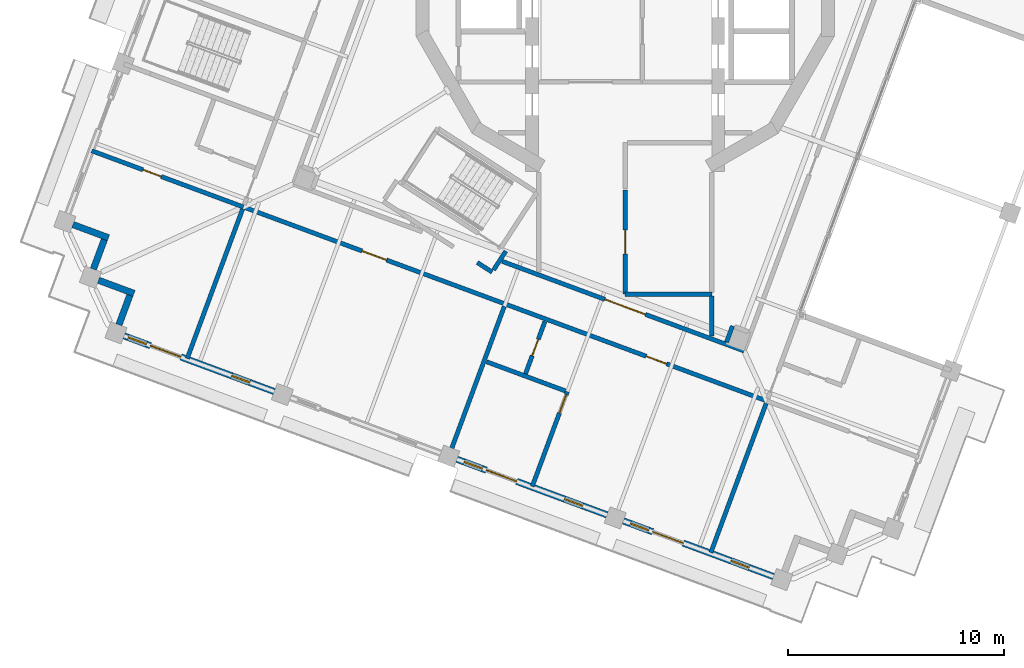
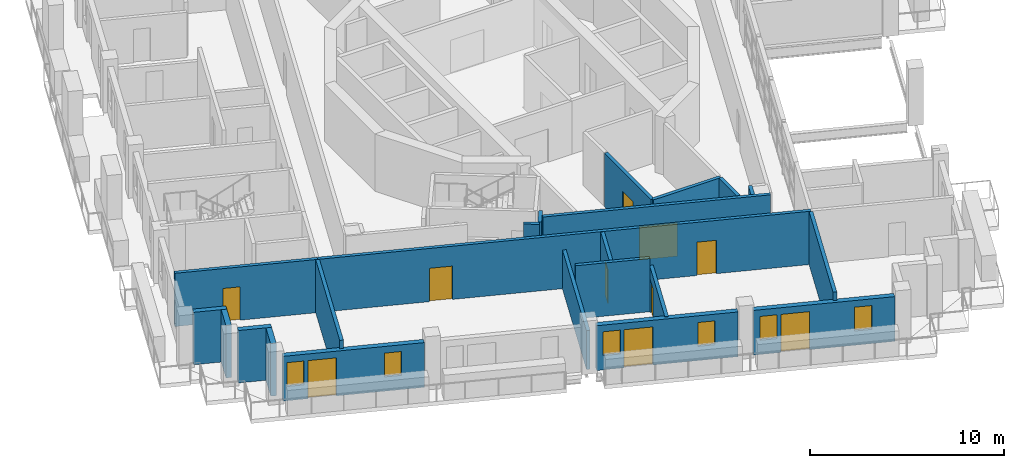
# One storey, part 5 of 19: 22 walls, 10 doors, 6 windows, 16 openings.
"""IFC4 building model written with IfcOpenShell, lengths in metres."""

from ifc_helpers import new_model, si_unit, direction, frame, frame_2d, origin, place, context, subcontext, project, spatial, rectangle, extrude, material, layer, layer_set, type_object, element, fill, save


model = new_model("IFC4")

# Units and contexts
model_context = context("Model", 3, precision=1e-05, world=origin(), true_north=direction((0.0, 1.0)))
body_context = subcontext(model_context, "Body", "Model", "MODEL_VIEW")
ifc_project = project(units=[si_unit("LENGTHUNIT", "METRE"), si_unit("AREAUNIT", "SQUARE_METRE"), si_unit("VOLUMEUNIT", "CUBIC_METRE"), si_unit("PLANEANGLEUNIT", "RADIAN"), si_unit("MASSUNIT", "GRAM", prefix="KILO")], contexts=[model_context])

# Site, building, storey
site_placement = place(None, origin())
site = spatial("IfcSite", under=ifc_project, at=site_placement, CompositionType="ELEMENT")
building_placement = place(site_placement, origin())
building = spatial("IfcBuilding", under=site, at=building_placement, Name="Cantera Rosa Tower", CompositionType="ELEMENT")
storey_placement = place(building_placement, frame((0.0, 0.0, 334.89990234375)))
storey = spatial("IfcBuildingStorey", under=building, at=storey_placement, Name="L75", CompositionType="ELEMENT", Elevation=334.89990234375)

# Wall, openings, doors
ifc_material_1 = material(Name="Gypsum board partition")
ifc_layer_1 = layer(ifc_material_1, 0.199951171875)
ifc_layer_set_1 = layer_set([ifc_layer_1], Name="CORRIDOR WALL 200 H3350")
wall_type_1 = type_object("IfcWallType", Name="CORRIDOR WALL 200 H3350", PredefinedType="PARTITIONING", material=ifc_layer_set_1)
wall_1_placement = place(storey_placement, frame((-17.61962890625, -10.48046875, 0.0), z_axis=(0.0, 0.0, 1.0), x_axis=(0.937683515105, -0.347490468214, 0.0)))
wall_1 = element("IfcWall", 1, at=wall_1_placement, inside=storey, type_object=wall_type_1, Name="CORRIDOR WALL L75-007", PredefinedType="PARTITIONING", context=body_context, shape_type="SweptSolid", body=[
    extrude(rectangle(XDim=25.77978515625, YDim=0.199951171875, at=frame_2d((12.889892578125, 0.0))), origin(), (0.0, 0.0, 1.0), 3.35009765625),
])
opening_1_placement = place(wall_1_placement, frame((5.830078125, 0.0, 0.0)))
opening_1 = element("IfcOpeningElement", 2, at=opening_1_placement, cuts=wall_1, Name="Opening L75-041", PredefinedType="OPENING", context=body_context, shape_type="SweptSolid", body=[
    extrude(rectangle(XDim=1.199951171875, YDim=2.10009765625, at=frame_2d((0.60009765625, 1.050048828125))), frame((0.0, 0.10986328125, 0.0), z_axis=(0.0, -1.0, 0.0), x_axis=(1.0, 0.0, 0.0)), (0.0, 0.0, 1.0), 0.219970703125),
])
opening_2_placement = place(wall_1_placement, frame((19.830078125, 0.0, 0.0)))
opening_2 = element("IfcOpeningElement", 3, at=opening_2_placement, cuts=wall_1, Name="Opening L75-042", PredefinedType="OPENING", context=body_context, shape_type="SweptSolid", body=[
    extrude(rectangle(XDim=1.0, YDim=2.10009765625, at=frame_2d((0.5, 1.050048828125))), frame((0.0, 0.10986328125, 0.0), z_axis=(0.0, -1.0, 0.0), x_axis=(1.0, 0.0, 0.0)), (0.0, 0.0, 1.0), 0.219970703125),
])
ifc_material_2 = material(Name="Timber door leaf", Category="wood")
door_type_1 = type_object("IfcDoorType", Name="ENTRANCE DOOR 1000x2100", OperationType="NOTDEFINED", PredefinedType="DOOR", material=ifc_material_2)
door_1_placement = place(opening_2_placement, origin())
door_1 = element("IfcDoor", 4, at=door_1_placement, inside=storey, type_object=door_type_1, Name="DOOR L75-042", OperationType="NOTDEFINED", OverallHeight=2.10009765625, OverallWidth=1.0, PredefinedType="DOOR", context=body_context, shape_type="SweptSolid", body=[
    extrude(rectangle(XDim=1.0, YDim=2.10009765625, at=frame_2d((0.5, 1.050048828125))), frame((0.0, 0.02490234375, 0.0), z_axis=(0.0, -1.0, 0.0), x_axis=(1.0, 0.0, 0.0)), (0.0, 0.0, 1.0), 0.050048828125),
])
fill(opening_2, door_1)
ifc_material_3 = material(Name="Timber door leaf", Category="wood")
door_type_2 = type_object("IfcDoorType", Name="ROOM DOOR 1200x2100", OperationType="NOTDEFINED", PredefinedType="DOOR", material=ifc_material_3)
door_2_placement = place(opening_1_placement, origin())
door_2 = element("IfcDoor", 5, at=door_2_placement, inside=storey, type_object=door_type_2, Name="DOOR L75-041", OperationType="NOTDEFINED", OverallHeight=2.10009765625, OverallWidth=1.199951171875, PredefinedType="DOOR", context=body_context, shape_type="SweptSolid", body=[
    extrude(rectangle(XDim=1.199951171875, YDim=2.10009765625, at=frame_2d((0.60009765625, 1.050048828125))), frame((0.0, 0.02490234375, 0.0), z_axis=(0.0, -1.0, 0.0), x_axis=(1.0, 0.0, 0.0)), (0.0, 0.0, 1.0), 0.050048828125),
])
fill(opening_1, door_2)

# Walls
wall_2_placement = place(storey_placement, frame((-6.83251953125, -13.038330078125, 0.0), z_axis=(0.0, 0.0, 1.0), x_axis=(0.838593374038, -0.54475788477, 0.0)))
element("IfcWall", 6, at=wall_2_placement, inside=storey, type_object=wall_type_1, Name="CORRIDOR WALL L75-023", PredefinedType="PARTITIONING", context=body_context, shape_type="SweptSolid", body=[
    extrude(rectangle(XDim=0.8193359375, YDim=0.199951171875, at=frame_2d((0.40966796875, 0.0))), origin(), (0.0, 0.0, 1.0), 3.35009765625),
])
wall_3_placement = place(storey_placement, frame((-6.080078125, -13.3837890625, 0.0), z_axis=(0.0, 0.0, 1.0), x_axis=(0.544566778899, 0.838717487191, 0.0)))
element("IfcWall", 7, at=wall_3_placement, inside=storey, type_object=wall_type_1, Name="CORRIDOR WALL L75-039", PredefinedType="PARTITIONING", context=body_context, shape_type="SweptSolid", body=[
    extrude(rectangle(XDim=1.038330078125, YDim=0.199951171875, at=frame_2d((0.51904296875, 0.0))), origin(), (0.0, 0.0, 1.0), 3.35009765625),
])

# Wall, opening, door
wall_4_placement = place(storey_placement, frame((-5.681396484375, -12.98486328125, 0.0), z_axis=(0.0, 0.0, 1.0), x_axis=(0.937686213924, -0.347483185516, 0.0)))
wall_4 = element("IfcWall", 8, at=wall_4_placement, inside=storey, type_object=wall_type_1, Name="CORRIDOR WALL L75-042", PredefinedType="PARTITIONING", context=body_context, shape_type="SweptSolid", body=[
    extrude(rectangle(XDim=11.915283203125, YDim=0.199951171875, at=frame_2d((5.95751953125, 0.0))), origin(), (0.0, 0.0, 1.0), 3.35009765625),
])
opening_3_placement = place(wall_4_placement, frame((5.05908203125, 0.0, 0.0)))
opening_3 = element("IfcOpeningElement", 9, at=opening_3_placement, cuts=wall_4, Name="Opening L75-011", PredefinedType="OPENING", context=body_context, shape_type="SweptSolid", body=[
    extrude(rectangle(XDim=2.0, YDim=2.10009765625, at=frame_2d((1.0, 1.050048828125))), frame((0.0, 0.10986328125, 0.0), z_axis=(0.0, -1.0, 0.0), x_axis=(1.0, 0.0, 0.0)), (0.0, 0.0, 1.0), 0.219970703125),
])
ifc_material_4 = material(Name="Steel S355J2 (EN 10025-2)", Category="steel")
door_type_3 = type_object("IfcDoorType", Name="LOBBY SCREEN DOOR 2000x2100", OperationType="NOTDEFINED", PredefinedType="DOOR", material=ifc_material_4)
door_3_placement = place(opening_3_placement, origin())
door_3 = element("IfcDoor", 10, at=door_3_placement, inside=storey, type_object=door_type_3, Name="DOOR L75-011", OperationType="NOTDEFINED", OverallHeight=2.10009765625, OverallWidth=2.0, PredefinedType="DOOR", context=body_context, shape_type="SweptSolid", body=[
    extrude(rectangle(XDim=2.0, YDim=2.10009765625, at=frame_2d((1.0, 1.050048828125))), frame((0.0, 0.02490234375, 0.0), z_axis=(0.0, -1.0, 0.0), x_axis=(1.0, 0.0, 0.0)), (0.0, 0.0, 1.0), 0.050048828125),
])
fill(opening_3, door_3)

# Wall
wall_5_placement = place(storey_placement, frame((0.0, -14.5, 0.0), z_axis=(0.0, 0.0, 1.0), x_axis=(1.0, 0.0, 0.0)))
element("IfcWall", 11, at=wall_5_placement, inside=storey, type_object=wall_type_1, Name="CORRIDOR WALL L75-062", PredefinedType="PARTITIONING", context=body_context, shape_type="SweptSolid", body=[
    extrude(rectangle(XDim=4.0, YDim=0.199951171875, at=frame_2d((2.0, 0.0))), origin(), (0.0, 0.0, 1.0), 3.35009765625),
])

# Wall, opening, door
wall_6_placement = place(storey_placement, frame((0.0, -9.689208984375, 0.0), z_axis=(0.0, 0.0, 1.0), x_axis=(0.0, -1.0, 0.0)))
wall_6 = element("IfcWall", 12, at=wall_6_placement, inside=storey, type_object=wall_type_1, Name="CORRIDOR WALL L75-063", PredefinedType="PARTITIONING", context=body_context, shape_type="SweptSolid", body=[
    extrude(rectangle(XDim=4.810791015625, YDim=0.199951171875, at=frame_2d((2.4052734375, 0.0))), origin(), (0.0, 0.0, 1.0), 3.35009765625),
])
opening_4_placement = place(wall_6_placement, frame((1.85546875, 0.0, 0.0)))
opening_4 = element("IfcOpeningElement", 13, at=opening_4_placement, cuts=wall_6, Name="Opening L75-015", PredefinedType="OPENING", context=body_context, shape_type="SweptSolid", body=[
    extrude(rectangle(XDim=1.10009765625, YDim=2.10009765625, at=frame_2d((0.550048828125, 1.050048828125))), frame((0.0, 0.10986328125, 0.0), z_axis=(0.0, -1.0, 0.0), x_axis=(1.0, 0.0, 0.0)), (0.0, 0.0, 1.0), 0.219970703125),
])
ifc_material_5 = material(Name="Timber door leaf", Category="wood")
door_type_4 = type_object("IfcDoorType", Name="ROOM DOOR 1100x2100", OperationType="NOTDEFINED", PredefinedType="DOOR", material=ifc_material_5)
door_4_placement = place(opening_4_placement, origin())
door_4 = element("IfcDoor", 14, at=door_4_placement, inside=storey, type_object=door_type_4, Name="DOOR L75-015", OperationType="NOTDEFINED", OverallHeight=2.10009765625, OverallWidth=1.10009765625, PredefinedType="DOOR", context=body_context, shape_type="SweptSolid", body=[
    extrude(rectangle(XDim=1.10009765625, YDim=2.10009765625, at=frame_2d((0.550048828125, 1.050048828125))), frame((0.0, 0.02490234375, 0.0), z_axis=(0.0, -1.0, 0.0), x_axis=(1.0, 0.0, 0.0)), (0.0, 0.0, 1.0), 0.050048828125),
])
fill(opening_4, door_4)

# Walls
wall_7_placement = place(storey_placement, frame((4.0, -16.4326171875, 0.0), z_axis=(0.0, 0.0, 1.0), x_axis=(0.0, 1.0, 0.0)))
element("IfcWall", 15, at=wall_7_placement, inside=storey, type_object=wall_type_1, Name="CORRIDOR WALL L75-077", PredefinedType="PARTITIONING", context=body_context, shape_type="SweptSolid", body=[
    extrude(rectangle(XDim=1.8525390625, YDim=0.199951171875, at=frame_2d((0.92626953125, 0.0))), origin(), (0.0, 0.0, 1.0), 3.35009765625),
])
ifc_material_6 = material(Name="Hollow clay masonry with cantera stone cladding", Category="masonry")
ifc_layer_2 = layer(ifc_material_6, 0.300048828125)
ifc_layer_set_2 = layer_set([ifc_layer_2], Name="EW-LOGGIA 300")
wall_type_2 = type_object("IfcWallType", Name="EW-LOGGIA 300", PredefinedType="SOLIDWALL", material=ifc_layer_set_2)
wall_8_placement = place(storey_placement, frame((-25.51220703125, -11.288330078125, 0.0), z_axis=(0.0, 0.0, 1.0), x_axis=(0.937669639538, -0.34752790836, 0.0)))
element("IfcWall", 16, at=wall_8_placement, inside=storey, type_object=wall_type_2, Name="EN-L75-W12a", PredefinedType="SOLIDWALL", context=body_context, shape_type="SweptSolid", body=[
    extrude(rectangle(XDim=1.75, YDim=0.300048828125, at=frame_2d((0.875, 0.0))), origin(), (0.0, 0.0, 1.0), 3.300048828125),
])
wall_9_placement = place(storey_placement, frame((-24.06396484375, -11.985107421875, 0.0), z_axis=(0.0, 0.0, 1.0), x_axis=(-0.347522732201, -0.937671557958, 0.0)))
element("IfcWall", 17, at=wall_9_placement, inside=storey, type_object=wall_type_2, Name="EN-L75-W12b", PredefinedType="SOLIDWALL", context=body_context, shape_type="SweptSolid", body=[
    extrude(rectangle(XDim=1.449951171875, YDim=0.300048828125, at=frame_2d((0.72509765625, 0.0))), origin(), (0.0, 0.0, 1.0), 3.300048828125),
])
wall_10_placement = place(storey_placement, frame((-24.331787109375, -13.858642578125, 0.0), z_axis=(0.0, 0.0, 1.0), x_axis=(0.937669639538, -0.34752790836, 0.0)))
element("IfcWall", 18, at=wall_10_placement, inside=storey, type_object=wall_type_2, Name="EN-L75-W13a", PredefinedType="SOLIDWALL", context=body_context, shape_type="SweptSolid", body=[
    extrude(rectangle(XDim=1.75, YDim=0.300048828125, at=frame_2d((0.875, 0.0))), origin(), (0.0, 0.0, 1.0), 3.300048828125),
])
wall_11_placement = place(storey_placement, frame((-22.883544921875, -14.555419921875, 0.0), z_axis=(0.0, 0.0, 1.0), x_axis=(-0.347522732201, -0.937671557958, 0.0)))
element("IfcWall", 19, at=wall_11_placement, inside=storey, type_object=wall_type_2, Name="EN-L75-W13b", PredefinedType="SOLIDWALL", context=body_context, shape_type="SweptSolid", body=[
    extrude(rectangle(XDim=1.449951171875, YDim=0.300048828125, at=frame_2d((0.72509765625, 0.0))), origin(), (0.0, 0.0, 1.0), 3.300048828125),
])

# Wall, openings, windows, door
ifc_material_7 = material(Name="Hollow clay masonry with cantera stone cladding", Category="masonry")
ifc_layer_3 = layer(ifc_material_7, 0.300048828125)
ifc_layer_set_3 = layer_set([ifc_layer_3], Name="EW-LOGGIA 300 H2820")
wall_type_3 = type_object("IfcWallType", Name="EW-LOGGIA 300 H2820", PredefinedType="SOLIDWALL", material=ifc_layer_set_3)
wall_12_placement = place(storey_placement, frame((-23.1513671875, -16.428955078125, 0.0), z_axis=(0.0, 0.0, 1.0), x_axis=(0.937676706507, -0.347508840281, 0.0)))
wall_12 = element("IfcWall", 20, at=wall_12_placement, inside=storey, type_object=wall_type_3, Name="EN-L75-W14", PredefinedType="SOLIDWALL", context=body_context, shape_type="SweptSolid", body=[
    extrude(rectangle(XDim=7.39990234375, YDim=0.300048828125, at=frame_2d((3.699951171875, 0.0))), origin(), (0.0, 0.0, 1.0), 2.820068359375),
])
opening_5_placement = place(wall_12_placement, frame((0.199951171875, 0.0, 0.89990234375)))
opening_5 = element("IfcOpeningElement", 21, at=opening_5_placement, cuts=wall_12, Name="Opening L75-W28", PredefinedType="OPENING", context=body_context, shape_type="SweptSolid", body=[
    extrude(rectangle(XDim=0.89990234375, YDim=1.5, at=frame_2d((0.449951171875, 0.75))), frame((0.0, 0.159912109375, 0.0), z_axis=(0.0, -1.0, 0.0), x_axis=(1.0, 0.0, 0.0)), (0.0, 0.0, 1.0), 0.320068359375),
])
opening_6_placement = place(wall_12_placement, frame((1.300048828125, 0.0, 0.0)))
opening_6 = element("IfcOpeningElement", 22, at=opening_6_placement, cuts=wall_12, Name="Opening L75-TD29", PredefinedType="OPENING", context=body_context, shape_type="SweptSolid", body=[
    extrude(rectangle(XDim=1.5, YDim=2.39990234375, at=frame_2d((0.75, 1.199951171875))), frame((0.0, 0.159912109375, 0.0), z_axis=(0.0, -1.0, 0.0), x_axis=(1.0, 0.0, 0.0)), (0.0, 0.0, 1.0), 0.320068359375),
])
opening_7_placement = place(wall_12_placement, frame((5.300048828125, 0.0, 0.89990234375)))
opening_7 = element("IfcOpeningElement", 23, at=opening_7_placement, cuts=wall_12, Name="Opening L75-W30", PredefinedType="OPENING", context=body_context, shape_type="SweptSolid", body=[
    extrude(rectangle(XDim=0.89990234375, YDim=1.5, at=frame_2d((0.449951171875, 0.75))), frame((0.0, 0.159912109375, 0.0), z_axis=(0.0, -1.0, 0.0), x_axis=(1.0, 0.0, 0.0)), (0.0, 0.0, 1.0), 0.320068359375),
])
ifc_material_8 = material(Name="Aluminium frame with clear glass", Category="aluminium")
window_type = type_object("IfcWindowType", Name="Residential window 900x1500", PartitioningType="SINGLE_PANEL", PredefinedType="WINDOW", material=ifc_material_8)
window_1_placement = place(opening_5_placement, origin())
window_1 = element("IfcWindow", 24, at=window_1_placement, inside=storey, type_object=window_type, Name="WINDOW L75-W28", OverallHeight=1.5, OverallWidth=0.89990234375, PartitioningType="SINGLE_PANEL", PredefinedType="WINDOW", context=body_context, shape_type="SweptSolid", body=[
    extrude(rectangle(XDim=0.89990234375, YDim=1.5, at=frame_2d((0.449951171875, 0.75))), frame((0.0, 0.030029296875, 0.0), z_axis=(0.0, -1.0, 0.0), x_axis=(1.0, 0.0, 0.0)), (0.0, 0.0, 1.0), 0.06005859375),
])
fill(opening_5, window_1)
window_2_placement = place(opening_7_placement, origin())
window_2 = element("IfcWindow", 25, at=window_2_placement, inside=storey, type_object=window_type, Name="WINDOW L75-W30", OverallHeight=1.5, OverallWidth=0.89990234375, PartitioningType="SINGLE_PANEL", PredefinedType="WINDOW", context=body_context, shape_type="SweptSolid", body=[
    extrude(rectangle(XDim=0.89990234375, YDim=1.5, at=frame_2d((0.449951171875, 0.75))), frame((0.0, 0.030029296875, 0.0), z_axis=(0.0, -1.0, 0.0), x_axis=(1.0, 0.0, 0.0)), (0.0, 0.0, 1.0), 0.06005859375),
])
fill(opening_7, window_2)
ifc_material_9 = material(Name="Aluminium frame with clear glass", Category="aluminium")
door_type_5 = type_object("IfcDoorType", Name="TD-R 1500x2400", OperationType="NOTDEFINED", PredefinedType="DOOR", material=ifc_material_9)
door_5_placement = place(opening_6_placement, origin())
door_5 = element("IfcDoor", 26, at=door_5_placement, inside=storey, type_object=door_type_5, Name="LOGGIA DOOR L75-TD29", OperationType="SLIDING_TO_LEFT", OverallHeight=2.39990234375, OverallWidth=1.5, PredefinedType="DOOR", context=body_context, shape_type="SweptSolid", body=[
    extrude(rectangle(XDim=1.5, YDim=2.39990234375, at=frame_2d((0.75, 1.199951171875))), frame((0.0, 0.02490234375, 0.0), z_axis=(0.0, -1.0, 0.0), x_axis=(1.0, 0.0, 0.0)), (0.0, 0.0, 1.0), 0.050048828125),
])
fill(opening_6, door_5)

wall_13_placement = place(storey_placement, frame((-7.7734375, -22.127685546875, 0.0), z_axis=(0.0, 0.0, 1.0), x_axis=(0.937680690562, -0.34749808999, 0.0)))
wall_13 = element("IfcWall", 27, at=wall_13_placement, inside=storey, type_object=wall_type_3, Name="EN-L75-W16", PredefinedType="SOLIDWALL", context=body_context, shape_type="SweptSolid", body=[
    extrude(rectangle(XDim=7.400146484375, YDim=0.300048828125, at=frame_2d((3.7001953125, 0.0))), origin(), (0.0, 0.0, 1.0), 2.820068359375),
])
opening_8_placement = place(wall_13_placement, frame((0.35009765625, 0.0, 0.89990234375)))
opening_8 = element("IfcOpeningElement", 28, at=opening_8_placement, cuts=wall_13, Name="Opening L75-W34", PredefinedType="OPENING", context=body_context, shape_type="SweptSolid", body=[
    extrude(rectangle(XDim=0.89990234375, YDim=1.5, at=frame_2d((0.449951171875, 0.75))), frame((0.0, 0.159912109375, 0.0), z_axis=(0.0, -1.0, 0.0), x_axis=(1.0, 0.0, 0.0)), (0.0, 0.0, 1.0), 0.320068359375),
])
opening_9_placement = place(wall_13_placement, frame((1.449951171875, 0.0, 0.0)))
opening_9 = element("IfcOpeningElement", 29, at=opening_9_placement, cuts=wall_13, Name="Opening L75-TD35", PredefinedType="OPENING", context=body_context, shape_type="SweptSolid", body=[
    extrude(rectangle(XDim=1.5, YDim=2.39990234375, at=frame_2d((0.75, 1.199951171875))), frame((0.0, 0.159912109375, 0.0), z_axis=(0.0, -1.0, 0.0), x_axis=(1.0, 0.0, 0.0)), (0.0, 0.0, 1.0), 0.320068359375),
])
opening_10_placement = place(wall_13_placement, frame((5.300048828125, 0.0, 0.89990234375)))
opening_10 = element("IfcOpeningElement", 30, at=opening_10_placement, cuts=wall_13, Name="Opening L75-W36", PredefinedType="OPENING", context=body_context, shape_type="SweptSolid", body=[
    extrude(rectangle(XDim=0.89990234375, YDim=1.5, at=frame_2d((0.449951171875, 0.75))), frame((0.0, 0.159912109375, 0.0), z_axis=(0.0, -1.0, 0.0), x_axis=(1.0, 0.0, 0.0)), (0.0, 0.0, 1.0), 0.320068359375),
])
window_3_placement = place(opening_8_placement, origin())
window_3 = element("IfcWindow", 31, at=window_3_placement, inside=storey, type_object=window_type, Name="WINDOW L75-W34", OverallHeight=1.5, OverallWidth=0.89990234375, PartitioningType="SINGLE_PANEL", PredefinedType="WINDOW", context=body_context, shape_type="SweptSolid", body=[
    extrude(rectangle(XDim=0.89990234375, YDim=1.5, at=frame_2d((0.449951171875, 0.75))), frame((0.0, 0.030029296875, 0.0), z_axis=(0.0, -1.0, 0.0), x_axis=(1.0, 0.0, 0.0)), (0.0, 0.0, 1.0), 0.06005859375),
])
fill(opening_8, window_3)
window_4_placement = place(opening_10_placement, origin())
window_4 = element("IfcWindow", 32, at=window_4_placement, inside=storey, type_object=window_type, Name="WINDOW L75-W36", OverallHeight=1.5, OverallWidth=0.89990234375, PartitioningType="SINGLE_PANEL", PredefinedType="WINDOW", context=body_context, shape_type="SweptSolid", body=[
    extrude(rectangle(XDim=0.89990234375, YDim=1.5, at=frame_2d((0.449951171875, 0.75))), frame((0.0, 0.030029296875, 0.0), z_axis=(0.0, -1.0, 0.0), x_axis=(1.0, 0.0, 0.0)), (0.0, 0.0, 1.0), 0.06005859375),
])
fill(opening_10, window_4)
door_6_placement = place(opening_9_placement, origin())
door_6 = element("IfcDoor", 33, at=door_6_placement, inside=storey, type_object=door_type_5, Name="LOGGIA DOOR L75-TD35", OperationType="SLIDING_TO_LEFT", OverallHeight=2.39990234375, OverallWidth=1.5, PredefinedType="DOOR", context=body_context, shape_type="SweptSolid", body=[
    extrude(rectangle(XDim=1.5, YDim=2.39990234375, at=frame_2d((0.75, 1.199951171875))), frame((0.0, 0.02490234375, 0.0), z_axis=(0.0, -1.0, 0.0), x_axis=(1.0, 0.0, 0.0)), (0.0, 0.0, 1.0), 0.050048828125),
])
fill(opening_9, door_6)

wall_14_placement = place(storey_placement, frame((-0.084228515625, -24.97705078125, 0.0), z_axis=(0.0, 0.0, 1.0), x_axis=(0.937687456783, -0.347479831633, 0.0)))
wall_14 = element("IfcWall", 34, at=wall_14_placement, inside=storey, type_object=wall_type_3, Name="EN-L75-W17", PredefinedType="SOLIDWALL", context=body_context, shape_type="SweptSolid", body=[
    extrude(rectangle(XDim=7.39990234375, YDim=0.300048828125, at=frame_2d((3.699951171875, 0.0))), origin(), (0.0, 0.0, 1.0), 2.820068359375),
])
opening_11_placement = place(wall_14_placement, frame((0.35009765625, 0.0, 0.89990234375)))
opening_11 = element("IfcOpeningElement", 35, at=opening_11_placement, cuts=wall_14, Name="Opening L75-W37", PredefinedType="OPENING", context=body_context, shape_type="SweptSolid", body=[
    extrude(rectangle(XDim=0.89990234375, YDim=1.5, at=frame_2d((0.449951171875, 0.75))), frame((0.0, 0.159912109375, 0.0), z_axis=(0.0, -1.0, 0.0), x_axis=(1.0, 0.0, 0.0)), (0.0, 0.0, 1.0), 0.320068359375),
])
opening_12_placement = place(wall_14_placement, frame((1.449951171875, 0.0, 0.0)))
opening_12 = element("IfcOpeningElement", 36, at=opening_12_placement, cuts=wall_14, Name="Opening L75-TD38", PredefinedType="OPENING", context=body_context, shape_type="SweptSolid", body=[
    extrude(rectangle(XDim=1.5, YDim=2.39990234375, at=frame_2d((0.75, 1.199951171875))), frame((0.0, 0.159912109375, 0.0), z_axis=(0.0, -1.0, 0.0), x_axis=(1.0, 0.0, 0.0)), (0.0, 0.0, 1.0), 0.320068359375),
])
opening_13_placement = place(wall_14_placement, frame((5.300048828125, 0.0, 0.89990234375)))
opening_13 = element("IfcOpeningElement", 37, at=opening_13_placement, cuts=wall_14, Name="Opening L75-W39", PredefinedType="OPENING", context=body_context, shape_type="SweptSolid", body=[
    extrude(rectangle(XDim=0.89990234375, YDim=1.5, at=frame_2d((0.449951171875, 0.75))), frame((0.0, 0.159912109375, 0.0), z_axis=(0.0, -1.0, 0.0), x_axis=(1.0, 0.0, 0.0)), (0.0, 0.0, 1.0), 0.320068359375),
])
window_5_placement = place(opening_11_placement, origin())
window_5 = element("IfcWindow", 38, at=window_5_placement, inside=storey, type_object=window_type, Name="WINDOW L75-W37", OverallHeight=1.5, OverallWidth=0.89990234375, PartitioningType="SINGLE_PANEL", PredefinedType="WINDOW", context=body_context, shape_type="SweptSolid", body=[
    extrude(rectangle(XDim=0.89990234375, YDim=1.5, at=frame_2d((0.449951171875, 0.75))), frame((0.0, 0.030029296875, 0.0), z_axis=(0.0, -1.0, 0.0), x_axis=(1.0, 0.0, 0.0)), (0.0, 0.0, 1.0), 0.06005859375),
])
fill(opening_11, window_5)
window_6_placement = place(opening_13_placement, origin())
window_6 = element("IfcWindow", 39, at=window_6_placement, inside=storey, type_object=window_type, Name="WINDOW L75-W39", OverallHeight=1.5, OverallWidth=0.89990234375, PartitioningType="SINGLE_PANEL", PredefinedType="WINDOW", context=body_context, shape_type="SweptSolid", body=[
    extrude(rectangle(XDim=0.89990234375, YDim=1.5, at=frame_2d((0.449951171875, 0.75))), frame((0.0, 0.030029296875, 0.0), z_axis=(0.0, -1.0, 0.0), x_axis=(1.0, 0.0, 0.0)), (0.0, 0.0, 1.0), 0.06005859375),
])
fill(opening_13, window_6)
door_7_placement = place(opening_12_placement, origin())
door_7 = element("IfcDoor", 40, at=door_7_placement, inside=storey, type_object=door_type_5, Name="LOGGIA DOOR L75-TD38", OperationType="SLIDING_TO_LEFT", OverallHeight=2.39990234375, OverallWidth=1.5, PredefinedType="DOOR", context=body_context, shape_type="SweptSolid", body=[
    extrude(rectangle(XDim=1.5, YDim=2.39990234375, at=frame_2d((0.75, 1.199951171875))), frame((0.0, 0.02490234375, 0.0), z_axis=(0.0, -1.0, 0.0), x_axis=(1.0, 0.0, 0.0)), (0.0, 0.0, 1.0), 0.050048828125),
])
fill(opening_12, door_7)

# Wall, opening, door
ifc_material_10 = material(Name="Gypsum board partition")
ifc_layer_4 = layer(ifc_material_10, 0.199951171875)
ifc_layer_set_4 = layer_set([ifc_layer_4], Name="PARTITION 200 H2850")
wall_type_4 = type_object("IfcWallType", Name="PARTITION 200 H2850", PredefinedType="PARTITIONING", material=ifc_layer_set_4)
wall_15_placement = place(storey_placement, frame((-2.6708984375, -19.00634765625, 0.0), z_axis=(0.0, 0.0, 1.0), x_axis=(-0.347453975961, -0.937697037741, 0.0)))
wall_15 = element("IfcWall", 41, at=wall_15_placement, inside=storey, type_object=wall_type_4, Name="PARTITION L75-059", PredefinedType="PARTITIONING", context=body_context, shape_type="SweptSolid", body=[
    extrude(rectangle(XDim=4.669921875, YDim=0.199951171875, at=frame_2d((2.3349609375, 0.0))), origin(), (0.0, 0.0, 1.0), 2.85009765625),
])
opening_14_placement = place(wall_15_placement, frame((0.14990234375, 0.0, 0.0)))
opening_14 = element("IfcOpeningElement", 42, at=opening_14_placement, cuts=wall_15, Name="Opening L75-044", PredefinedType="OPENING", context=body_context, shape_type="SweptSolid", body=[
    extrude(rectangle(XDim=0.89990234375, YDim=2.10009765625, at=frame_2d((0.449951171875, 1.050048828125))), frame((0.0, 0.10986328125, 0.0), z_axis=(0.0, -1.0, 0.0), x_axis=(1.0, 0.0, 0.0)), (0.0, 0.0, 1.0), 0.219970703125),
])
ifc_material_11 = material(Name="Timber door leaf", Category="wood")
door_type_6 = type_object("IfcDoorType", Name="ROOM DOOR 900x2100", OperationType="NOTDEFINED", PredefinedType="DOOR", material=ifc_material_11)
door_8_placement = place(opening_14_placement, origin())
door_8 = element("IfcDoor", 43, at=door_8_placement, inside=storey, type_object=door_type_6, Name="DOOR L75-044", OperationType="NOTDEFINED", OverallHeight=2.10009765625, OverallWidth=0.89990234375, PredefinedType="DOOR", context=body_context, shape_type="SweptSolid", body=[
    extrude(rectangle(XDim=0.89990234375, YDim=2.10009765625, at=frame_2d((0.449951171875, 1.050048828125))), frame((0.0, 0.02490234375, 0.0), z_axis=(0.0, -1.0, 0.0), x_axis=(1.0, 0.0, 0.0)), (0.0, 0.0, 1.0), 0.050048828125),
])
fill(opening_14, door_8)

ifc_material_12 = material(Name="Gypsum board partition")
ifc_layer_5 = layer(ifc_material_12, 0.199951171875)
ifc_layer_set_5 = layer_set([ifc_layer_5], Name="PARTITION 200 H3350")
wall_type_5 = type_object("IfcWallType", Name="PARTITION 200 H3350", PredefinedType="PARTITIONING", material=ifc_layer_set_5)
wall_16_placement = place(storey_placement, frame((-24.64306640625, -7.8779296875, 0.0), z_axis=(0.0, 0.0, 1.0), x_axis=(0.93768803379, -0.347478274555, 0.0)))
wall_16 = element("IfcWall", 44, at=wall_16_placement, inside=storey, type_object=wall_type_5, Name="PARTITION L75-001", PredefinedType="PARTITIONING", context=body_context, shape_type="SweptSolid", body=[
    extrude(rectangle(XDim=7.47021484375, YDim=0.199951171875, at=frame_2d((3.735107421875, 0.0))), origin(), (0.0, 0.0, 1.0), 3.35009765625),
])
opening_15_placement = place(wall_16_placement, frame((2.52001953125, 0.0, 0.0)))
opening_15 = element("IfcOpeningElement", 45, at=opening_15_placement, cuts=wall_16, Name="Opening L75-040", PredefinedType="OPENING", context=body_context, shape_type="SweptSolid", body=[
    extrude(rectangle(XDim=0.89990234375, YDim=2.10009765625, at=frame_2d((0.449951171875, 1.050048828125))), frame((0.0, 0.10986328125, 0.0), z_axis=(0.0, -1.0, 0.0), x_axis=(1.0, 0.0, 0.0)), (0.0, 0.0, 1.0), 0.219970703125),
])
door_9_placement = place(opening_15_placement, origin())
door_9 = element("IfcDoor", 46, at=door_9_placement, inside=storey, type_object=door_type_6, Name="DOOR L75-040", OperationType="NOTDEFINED", OverallHeight=2.10009765625, OverallWidth=0.89990234375, PredefinedType="DOOR", context=body_context, shape_type="SweptSolid", body=[
    extrude(rectangle(XDim=0.89990234375, YDim=2.10009765625, at=frame_2d((0.449951171875, 1.050048828125))), frame((0.0, 0.02490234375, 0.0), z_axis=(0.0, -1.0, 0.0), x_axis=(1.0, 0.0, 0.0)), (0.0, 0.0, 1.0), 0.050048828125),
])
fill(opening_15, door_9)

wall_17_placement = place(storey_placement, frame((-3.70849609375, -15.763671875, 0.0), z_axis=(0.0, 0.0, 1.0), x_axis=(-0.347563980018, -0.937656269533, 0.0)))
wall_17 = element("IfcWall", 47, at=wall_17_placement, inside=storey, type_object=wall_type_5, Name="PARTITION L75-057", PredefinedType="PARTITIONING", context=body_context, shape_type="SweptSolid", body=[
    extrude(rectangle(XDim=2.580078125, YDim=0.199951171875, at=frame_2d((1.2900390625, 0.0))), origin(), (0.0, 0.0, 1.0), 3.35009765625),
])
opening_16_placement = place(wall_17_placement, frame((0.8798828125, 0.0, 0.0)))
opening_16 = element("IfcOpeningElement", 48, at=opening_16_placement, cuts=wall_17, Name="Opening L75-043", PredefinedType="OPENING", context=body_context, shape_type="SweptSolid", body=[
    extrude(rectangle(XDim=0.800048828125, YDim=2.10009765625, at=frame_2d((0.39990234375, 1.050048828125))), frame((0.0, 0.10986328125, 0.0), z_axis=(0.0, -1.0, 0.0), x_axis=(1.0, 0.0, 0.0)), (0.0, 0.0, 1.0), 0.219970703125),
])
ifc_material_13 = material(Name="Timber door leaf", Category="wood")
door_type_7 = type_object("IfcDoorType", Name="BATHROOM DOOR 800x2100", OperationType="NOTDEFINED", PredefinedType="DOOR", material=ifc_material_13)
door_10_placement = place(opening_16_placement, origin())
door_10 = element("IfcDoor", 49, at=door_10_placement, inside=storey, type_object=door_type_7, Name="DOOR L75-043", OperationType="NOTDEFINED", OverallHeight=2.10009765625, OverallWidth=0.800048828125, PredefinedType="DOOR", context=body_context, shape_type="SweptSolid", body=[
    extrude(rectangle(XDim=0.800048828125, YDim=2.10009765625, at=frame_2d((0.39990234375, 1.050048828125))), frame((0.0, 0.02490234375, 0.0), z_axis=(0.0, -1.0, 0.0), x_axis=(1.0, 0.0, 0.0)), (0.0, 0.0, 1.0), 0.050048828125),
])
fill(opening_16, door_10)

# Walls
wall_18_placement = place(storey_placement, frame((-2.764404296875, -18.9716796875, 0.0), z_axis=(0.0, 0.0, 1.0), x_axis=(-0.937679675648, 0.347500828599, 0.0)))
element("IfcWall", 50, at=wall_18_placement, inside=storey, type_object=wall_type_5, Name="PARTITION L75-058", PredefinedType="PARTITIONING", context=body_context, shape_type="SweptSolid", body=[
    extrude(rectangle(XDim=3.880126953125, YDim=0.199951171875, at=frame_2d((1.93994140625, 0.0))), origin(), (0.0, 0.0, 1.0), 3.35009765625),
])
wall_19_placement = place(storey_placement, frame((4.960205078125, -15.96875, 0.0), z_axis=(0.0, 0.0, 1.0), x_axis=(-0.34737400582, -0.937726665975, 0.0)))
element("IfcWall", 51, at=wall_19_placement, inside=storey, type_object=wall_type_5, Name="PARTITION L75-084", PredefinedType="PARTITIONING", context=body_context, shape_type="SweptSolid", body=[
    extrude(rectangle(XDim=0.7998046875, YDim=0.199951171875, at=frame_2d((0.39990234375, 0.0))), origin(), (0.0, 0.0, 1.0), 3.35009765625),
])
ifc_material_14 = material(Name="Gypsum board partition")
ifc_layer_6 = layer(ifc_material_14, 0.199951171875)
ifc_layer_set_6 = layer_set([ifc_layer_6], Name="PARTY WALL 200 H2450")
wall_type_6 = type_object("IfcWallType", Name="PARTY WALL 200 H2450", PredefinedType="PARTITIONING", material=ifc_layer_set_6)
wall_20_placement = place(storey_placement, frame((-5.583984375, -15.068603515625, 0.0), z_axis=(0.0, 0.0, 1.0), x_axis=(-0.347473379308, -0.937689847803, 0.0)))
element("IfcWall", 52, at=wall_20_placement, inside=storey, type_object=wall_type_6, Name="PARTY WALL L75-044", PredefinedType="PARTITIONING", context=body_context, shape_type="SweptSolid", body=[
    extrude(rectangle(XDim=7.35009765625, YDim=0.199951171875, at=frame_2d((3.675048828125, 0.0))), origin(), (0.0, 0.0, 1.0), 2.4501953125),
])
ifc_material_15 = material(Name="Gypsum board partition")
ifc_layer_7 = layer(ifc_material_15, 0.199951171875)
ifc_layer_set_7 = layer_set([ifc_layer_7], Name="PARTY WALL 200 H3350")
wall_type_7 = type_object("IfcWallType", Name="PARTY WALL 200 H3350", PredefinedType="PARTITIONING", material=ifc_layer_set_7)
wall_21_placement = place(storey_placement, frame((-17.673095703125, -10.5673828125, 0.0), z_axis=(0.0, 0.0, 1.0), x_axis=(-0.347497764109, -0.937680811331, 0.0)))
element("IfcWall", 53, at=wall_21_placement, inside=storey, type_object=wall_type_7, Name="PARTY WALL L75-006", PredefinedType="PARTITIONING", context=body_context, shape_type="SweptSolid", body=[
    extrude(rectangle(XDim=7.369873046875, YDim=0.199951171875, at=frame_2d((3.68505859375, 0.0))), origin(), (0.0, 0.0, 1.0), 3.35009765625),
])
wall_22_placement = place(storey_placement, frame((3.958251953125, -26.443115234375, 0.0), z_axis=(0.0, 0.0, 1.0), x_axis=(0.347473379308, 0.937689847803, 0.0)))
element("IfcWall", 54, at=wall_22_placement, inside=storey, type_object=wall_type_7, Name="PARTY WALL L75-074", PredefinedType="PARTITIONING", context=body_context, shape_type="SweptSolid", body=[
    extrude(rectangle(XDim=7.35009765625, YDim=0.199951171875, at=frame_2d((3.675048828125, 0.0))), origin(), (0.0, 0.0, 1.0), 3.35009765625),
])

save(model, "model.ifc")
